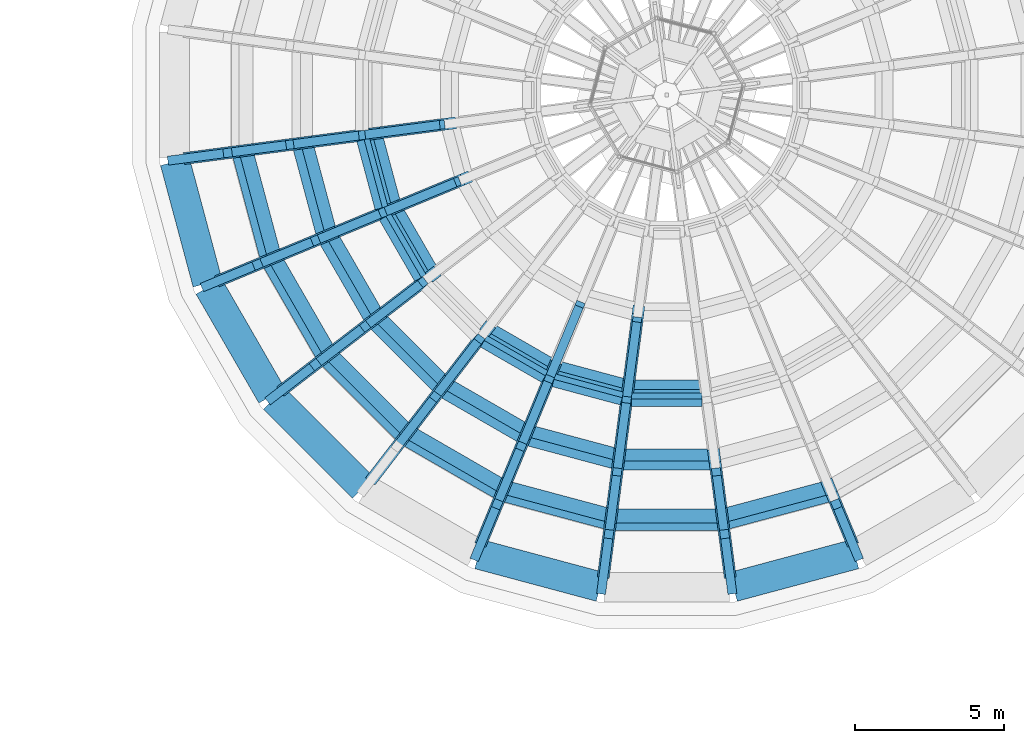
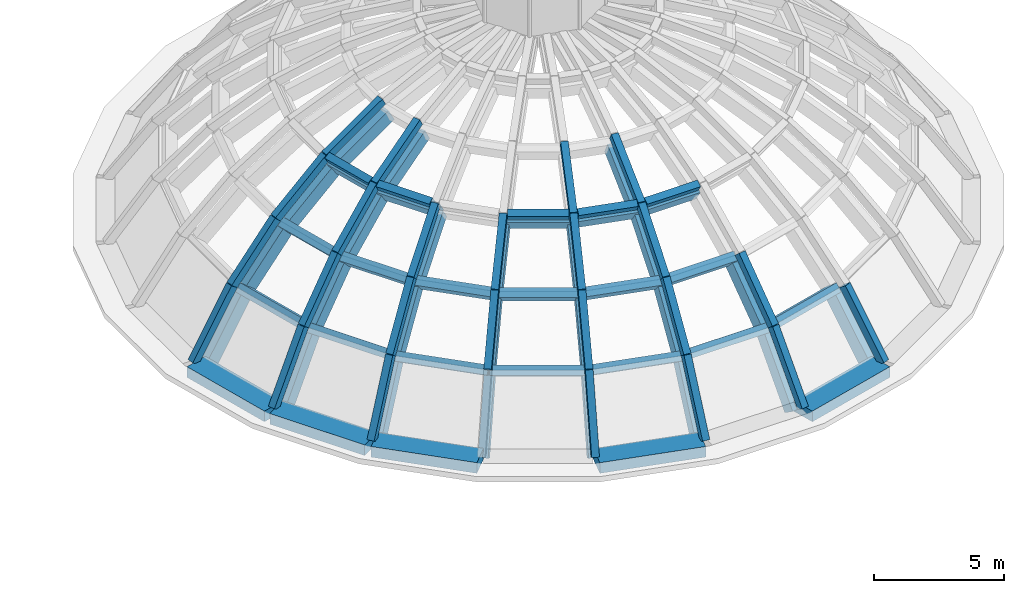
# One storey, part 10 of 29: 48 members, 28 beams.
"""IFC4 building model written with IfcOpenShell, lengths in metres."""

from ifc_helpers import new_model, si_unit, direction, frame, origin, origin_2d, place, context, subcontext, project, spatial, rectangle, extrude, material, material_profile, profile_set, type_object, element, save


model = new_model("IFC4")

# Units and contexts
model_context = context("Model", 3, precision=1e-05, world=origin(), true_north=direction((0.0, 1.0)))
body_context = subcontext(model_context, "Body", "Model", "MODEL_VIEW")
ifc_project = project(units=[si_unit("LENGTHUNIT", "METRE"), si_unit("AREAUNIT", "SQUARE_METRE"), si_unit("VOLUMEUNIT", "CUBIC_METRE"), si_unit("PLANEANGLEUNIT", "RADIAN"), si_unit("MASSUNIT", "GRAM", prefix="KILO")], contexts=[model_context])

# Site, building, storey
site_placement = place(None, origin())
site = spatial("IfcSite", under=ifc_project, at=site_placement, CompositionType="ELEMENT")
building_placement = place(site_placement, origin())
building = spatial("IfcBuilding", under=site, at=building_placement, Name="Golden Quay Civic Hall", CompositionType="ELEMENT")
storey_placement = place(building_placement, frame((0.0, 0.0, 27.0)))
storey = spatial("IfcBuildingStorey", under=building, at=storey_placement, Name="L06", CompositionType="ELEMENT", Elevation=27.0)

# Members
ifc_material_1 = material(Name="Concrete C40/50", Category="concrete")
ifc_material_profile_1 = material_profile(ifc_material_1, rectangle(XDim=0.39990234375, YDim=0.60009765625, at=origin_2d()), Name="RC 400x600")
ifc_profile_set_1 = profile_set([ifc_material_profile_1], Name="Concrete C40/50")
member_type_1 = type_object("IfcMemberType", Name="Reinforced concrete dome meridian rib 400x600", PredefinedType="STRUT", material=ifc_profile_set_1)
member_1_placement = place(storey_placement, frame((69.56591796875, 83.40234375, -0.492919921875), z_axis=(0.550095894332, 0.072379120587, 0.831958995349), x_axis=(-0.130451114281, 0.99145474268, 0.0)))
element("IfcMember", 1, at=member_1_placement, inside=storey, type_object=member_type_1, Name="Dome meridian rib 13.1", PredefinedType="STRUT", context=body_context, shape_type="SweptSolid", body=[
    extrude(rectangle(XDim=0.39990234375, YDim=0.60009765625, at=origin_2d()), origin(), (0.0, 0.0, 1.0), 3.349365234375),
])
member_2_placement = place(storey_placement, frame((71.408447265625, 83.644775390625, 2.293701171875), z_axis=(0.676536070137, 0.089068005808, 0.731003307889), x_axis=(-0.130526685544, 0.991444796426, 0.0)))
element("IfcMember", 2, at=member_2_placement, inside=storey, type_object=member_type_1, Name="Dome meridian rib 13.2", PredefinedType="STRUT", context=body_context, shape_type="SweptSolid", body=[
    extrude(rectangle(XDim=0.39990234375, YDim=0.60009765625, at=origin_2d()), origin(), (0.0, 0.0, 1.0), 2.949462890625),
])
member_3_placement = place(storey_placement, frame((73.40380859375, 83.907470703125, 4.44970703125), z_axis=(0.785170814657, 0.103392551134, 0.61058723552), x_axis=(-0.130554556385, 0.991441126748, 0.0)))
element("IfcMember", 3, at=member_3_placement, inside=storey, type_object=member_type_1, Name="Dome meridian rib 13.3", PredefinedType="STRUT", context=body_context, shape_type="SweptSolid", body=[
    extrude(rectangle(XDim=0.39990234375, YDim=0.60009765625, at=origin_2d()), origin(), (0.0, 0.0, 1.0), 2.94921875),
])
member_4_placement = place(storey_placement, frame((75.719482421875, 84.21240234375, 6.25048828125), z_axis=(0.87287480647, 0.114893336309, 0.474224728902), x_axis=(-0.130500722737, 0.991448214162, 0.0)))
element("IfcMember", 4, at=member_4_placement, inside=storey, type_object=member_type_1, Name="Dome meridian rib 13.4", PredefinedType="STRUT", context=body_context, shape_type="SweptSolid", body=[
    extrude(rectangle(XDim=0.39990234375, YDim=0.60009765625, at=origin_2d()), origin(), (0.0, 0.0, 1.0), 2.949462890625),
])
member_5_placement = place(storey_placement, frame((70.65185546875, 79.349609375, -0.492919921875), z_axis=(0.512569679577, 0.212331552419, 0.831978146003), x_axis=(-0.382711492988, 0.923867908922, 0.0)))
element("IfcMember", 5, at=member_5_placement, inside=storey, type_object=member_type_1, Name="Dome meridian rib 14.1", PredefinedType="STRUT", context=body_context, shape_type="SweptSolid", body=[
    extrude(rectangle(XDim=0.39990234375, YDim=0.60009765625, at=origin_2d()), origin(), (0.0, 0.0, 1.0), 3.349365234375),
])
member_6_placement = place(storey_placement, frame((72.36865234375, 80.060791015625, 2.293701171875), z_axis=(0.630425469175, 0.26115971051, 0.730998860069), x_axis=(-0.382719620554, 0.923864542042, 0.0)))
element("IfcMember", 6, at=member_6_placement, inside=storey, type_object=member_type_1, Name="Dome meridian rib 14.2", PredefinedType="STRUT", context=body_context, shape_type="SweptSolid", body=[
    extrude(rectangle(XDim=0.39990234375, YDim=0.60009765625, at=origin_2d()), origin(), (0.0, 0.0, 1.0), 2.949462890625),
])
for number, where, z_axis, x_axis, name in (
    (7, (74.22802734375, 80.8310546875, 4.44970703125), (0.731680684509, 0.303052719311, 0.610575486926), (-0.382662584265, 0.923888167801, 0.0), "Dome meridian rib 14.3"),
    (8, (76.385986328125, 81.724853515625, 6.25048828125), (0.813382122153, 0.336908735718, 0.474238365338), (-0.382678419342, 0.923881608957, 0.0), "Dome meridian rib 14.4"),
):
    element("IfcMember", number, at=place(storey_placement, frame(where, z_axis=z_axis, x_axis=x_axis)), inside=storey, type_object=member_type_1, Name=name, PredefinedType="STRUT", context=body_context, shape_type="SweptSolid", body=[
        extrude(rectangle(XDim=0.39990234375, YDim=0.60009765625, at=origin_2d()), origin(), (0.0, 0.0, 1.0), 2.94921875),
    ])
member_7_placement = place(storey_placement, frame((72.749755859375, 75.71630859375, -0.492919921875), z_axis=(0.440119735162, 0.337779869616, 0.831985203236), x_axis=(-0.608834168329, 0.793297520149, 0.0)))
element("IfcMember", 9, at=member_7_placement, inside=storey, type_object=member_type_1, Name="Dome meridian rib 15.1", PredefinedType="STRUT", context=body_context, shape_type="SweptSolid", body=[
    extrude(rectangle(XDim=0.39990234375, YDim=0.60009765625, at=origin_2d()), origin(), (0.0, 0.0, 1.0), 3.349365234375),
])
member_8_placement = place(storey_placement, frame((74.223876953125, 76.84765625, 2.293701171875), z_axis=(0.541368312037, 0.415380151346, 0.731012777309), x_axis=(-0.608737109833, 0.793372000459, 0.0)))
element("IfcMember", 10, at=member_8_placement, inside=storey, type_object=member_type_1, Name="Dome meridian rib 15.2", PredefinedType="STRUT", context=body_context, shape_type="SweptSolid", body=[
    extrude(rectangle(XDim=0.39990234375, YDim=0.60009765625, at=origin_2d()), origin(), (0.0, 0.0, 1.0), 2.949462890625),
])
member_9_placement = place(storey_placement, frame((75.820556640625, 78.07275390625, 4.44970703125), z_axis=(0.628298229719, 0.482109208153, 0.610583365271), x_axis=(-0.608760650139, 0.793353937939, 0.0)))
element("IfcMember", 11, at=member_9_placement, inside=storey, type_object=member_type_1, Name="Dome meridian rib 15.3", PredefinedType="STRUT", context=body_context, shape_type="SweptSolid", body=[
    extrude(rectangle(XDim=0.39990234375, YDim=0.60009765625, at=origin_2d()), origin(), (0.0, 0.0, 1.0), 2.94921875),
])
member_10_placement = place(storey_placement, frame((75.71630859375, 72.749755859375, -0.492919921875), z_axis=(0.337779869616, 0.440119735162, 0.831985203236), x_axis=(-0.793297520149, 0.608834168329, 0.0)))
element("IfcMember", 12, at=member_10_placement, inside=storey, type_object=member_type_1, Name="Dome meridian rib 16.1", PredefinedType="STRUT", context=body_context, shape_type="SweptSolid", body=[
    extrude(rectangle(XDim=0.39990234375, YDim=0.60009765625, at=origin_2d()), origin(), (0.0, 0.0, 1.0), 3.349365234375),
])
member_11_placement = place(storey_placement, frame((76.84765625, 74.223876953125, 2.293701171875), z_axis=(0.415380151346, 0.541368312037, 0.731012777309), x_axis=(-0.793372000459, 0.608737109833, 0.0)))
element("IfcMember", 13, at=member_11_placement, inside=storey, type_object=member_type_1, Name="Dome meridian rib 16.2", PredefinedType="STRUT", context=body_context, shape_type="SweptSolid", body=[
    extrude(rectangle(XDim=0.39990234375, YDim=0.60009765625, at=origin_2d()), origin(), (0.0, 0.0, 1.0), 2.949462890625),
])
member_12_placement = place(storey_placement, frame((78.07275390625, 75.820556640625, 4.44970703125), z_axis=(0.482109208153, 0.628298229719, 0.610583365271), x_axis=(-0.793353937939, 0.608760650139, 0.0)))
element("IfcMember", 14, at=member_12_placement, inside=storey, type_object=member_type_1, Name="Dome meridian rib 16.3", PredefinedType="STRUT", context=body_context, shape_type="SweptSolid", body=[
    extrude(rectangle(XDim=0.39990234375, YDim=0.60009765625, at=origin_2d()), origin(), (0.0, 0.0, 1.0), 2.94921875),
])
member_13_placement = place(storey_placement, frame((79.349609375, 70.65185546875, -0.492919921875), z_axis=(0.212331552419, 0.512569679577, 0.831978146003), x_axis=(-0.923867908922, 0.382711492988, 0.0)))
element("IfcMember", 15, at=member_13_placement, inside=storey, type_object=member_type_1, Name="Dome meridian rib 17.1", PredefinedType="STRUT", context=body_context, shape_type="SweptSolid", body=[
    extrude(rectangle(XDim=0.39990234375, YDim=0.60009765625, at=origin_2d()), origin(), (0.0, 0.0, 1.0), 3.349365234375),
])
member_14_placement = place(storey_placement, frame((80.060791015625, 72.36865234375, 2.293701171875), z_axis=(0.26115971051, 0.630425469175, 0.730998860069), x_axis=(-0.923864542042, 0.382719620554, 0.0)))
element("IfcMember", 16, at=member_14_placement, inside=storey, type_object=member_type_1, Name="Dome meridian rib 17.2", PredefinedType="STRUT", context=body_context, shape_type="SweptSolid", body=[
    extrude(rectangle(XDim=0.39990234375, YDim=0.60009765625, at=origin_2d()), origin(), (0.0, 0.0, 1.0), 2.949462890625),
])
member_15_placement = place(storey_placement, frame((80.8310546875, 74.22802734375, 4.44970703125), z_axis=(0.303052719311, 0.731680684509, 0.610575486926), x_axis=(-0.923888167801, 0.382662584265, 0.0)))
element("IfcMember", 17, at=member_15_placement, inside=storey, type_object=member_type_1, Name="Dome meridian rib 17.3", PredefinedType="STRUT", context=body_context, shape_type="SweptSolid", body=[
    extrude(rectangle(XDim=0.39990234375, YDim=0.60009765625, at=origin_2d()), origin(), (0.0, 0.0, 1.0), 2.94921875),
])
member_16_placement = place(storey_placement, frame((83.40234375, 69.56591796875, -0.492919921875), z_axis=(0.072379120587, 0.550095894332, 0.831958995349), x_axis=(-0.99145474268, 0.130451114281, 0.0)))
element("IfcMember", 18, at=member_16_placement, inside=storey, type_object=member_type_1, Name="Dome meridian rib 18.1", PredefinedType="STRUT", context=body_context, shape_type="SweptSolid", body=[
    extrude(rectangle(XDim=0.39990234375, YDim=0.60009765625, at=origin_2d()), origin(), (0.0, 0.0, 1.0), 3.349365234375),
])
member_17_placement = place(storey_placement, frame((83.644775390625, 71.408447265625, 2.293701171875), z_axis=(0.089068005808, 0.676536070137, 0.731003307889), x_axis=(-0.991444796426, 0.130526685544, 0.0)))
element("IfcMember", 19, at=member_17_placement, inside=storey, type_object=member_type_1, Name="Dome meridian rib 18.2", PredefinedType="STRUT", context=body_context, shape_type="SweptSolid", body=[
    extrude(rectangle(XDim=0.39990234375, YDim=0.60009765625, at=origin_2d()), origin(), (0.0, 0.0, 1.0), 2.949462890625),
])
member_18_placement = place(storey_placement, frame((83.907470703125, 73.40380859375, 4.44970703125), z_axis=(0.103392551134, 0.785170814657, 0.61058723552), x_axis=(-0.991441126748, 0.130554556385, 0.0)))
element("IfcMember", 20, at=member_18_placement, inside=storey, type_object=member_type_1, Name="Dome meridian rib 18.3", PredefinedType="STRUT", context=body_context, shape_type="SweptSolid", body=[
    extrude(rectangle(XDim=0.39990234375, YDim=0.60009765625, at=origin_2d()), origin(), (0.0, 0.0, 1.0), 2.94921875),
])
member_19_placement = place(storey_placement, frame((84.21240234375, 75.719482421875, 6.25048828125), z_axis=(0.114893336309, 0.87287480647, 0.474224728902), x_axis=(-0.991448214162, 0.130500722737, 0.0)))
element("IfcMember", 21, at=member_19_placement, inside=storey, type_object=member_type_1, Name="Dome meridian rib 18.4", PredefinedType="STRUT", context=body_context, shape_type="SweptSolid", body=[
    extrude(rectangle(XDim=0.39990234375, YDim=0.60009765625, at=origin_2d()), origin(), (0.0, 0.0, 1.0), 2.949462890625),
])
member_20_placement = place(storey_placement, frame((87.59765625, 69.56591796875, -0.492919921875), z_axis=(-0.072379120587, 0.550095894332, 0.831958995349), x_axis=(-0.99145474268, -0.130451114281, 0.0)))
element("IfcMember", 22, at=member_20_placement, inside=storey, type_object=member_type_1, Name="Dome meridian rib 19.1", PredefinedType="STRUT", context=body_context, shape_type="SweptSolid", body=[
    extrude(rectangle(XDim=0.39990234375, YDim=0.60009765625, at=origin_2d()), origin(), (0.0, 0.0, 1.0), 3.349365234375),
])
member_21_placement = place(storey_placement, frame((87.355224609375, 71.408447265625, 2.293701171875), z_axis=(-0.089068005808, 0.676536070137, 0.731003307889), x_axis=(-0.991444796426, -0.130526685544, 0.0)))
element("IfcMember", 23, at=member_21_placement, inside=storey, type_object=member_type_1, Name="Dome meridian rib 19.2", PredefinedType="STRUT", context=body_context, shape_type="SweptSolid", body=[
    extrude(rectangle(XDim=0.39990234375, YDim=0.60009765625, at=origin_2d()), origin(), (0.0, 0.0, 1.0), 2.949462890625),
])
member_22_placement = place(storey_placement, frame((91.650390625, 70.65185546875, -0.492919921875), z_axis=(-0.212331552419, 0.512569679577, 0.831978146003), x_axis=(-0.923867908922, -0.382711492988, 0.0)))
element("IfcMember", 24, at=member_22_placement, inside=storey, type_object=member_type_1, Name="Dome meridian rib 20.1", PredefinedType="STRUT", context=body_context, shape_type="SweptSolid", body=[
    extrude(rectangle(XDim=0.39990234375, YDim=0.60009765625, at=origin_2d()), origin(), (0.0, 0.0, 1.0), 3.349365234375),
])
ifc_material_2 = material(Name="Concrete C40/50", Category="concrete")
ifc_material_profile_2 = material_profile(ifc_material_2, rectangle(XDim=0.300048828125, YDim=0.35009765625, at=origin_2d()), Name="RC 300x350")
ifc_profile_set_2 = profile_set([ifc_material_profile_2], Name="Concrete C40/50")
member_type_2 = type_object("IfcMemberType", Name="Reinforced concrete dome outer rib 300x350", PredefinedType="STRUT", material=ifc_profile_set_2)
member_23_placement = place(storey_placement, frame((68.923095703125, 83.317626953125, -0.01904296875), z_axis=(0.550122287018, 0.072439628972, 0.831936277296), x_axis=(-0.130552155343, 0.991441442918, 0.0)))
element("IfcMember", 25, at=member_23_placement, inside=storey, type_object=member_type_2, Name="Dome outer rib 13.1", PredefinedType="STRUT", context=body_context, shape_type="SweptSolid", body=[
    extrude(rectangle(XDim=0.300048828125, YDim=0.35009765625, at=origin_2d()), origin(), (0.0, 0.0, 1.0), 3.38037109375),
])
for number, where, z_axis, x_axis, name in (
    (26, (70.78271484375, 83.5625, 2.793212890625), (0.67654387731, 0.089085674566, 0.730993929292), (-0.130550656476, 0.991441640286, 0.0), "Dome outer rib 13.2"),
    (27, (72.86669921875, 83.8369140625, 5.044921875), (0.78511246059, 0.10335015633, 0.610669443655), (-0.130511470467, 0.991446799418, 0.0), "Dome outer rib 13.3"),
):
    element("IfcMember", number, at=place(storey_placement, frame(where, z_axis=z_axis, x_axis=x_axis)), inside=storey, type_object=member_type_2, Name=name, PredefinedType="STRUT", context=body_context, shape_type="SweptSolid", body=[
        extrude(rectangle(XDim=0.300048828125, YDim=0.35009765625, at=origin_2d()), origin(), (0.0, 0.0, 1.0), 3.080322265625),
    ])
member_24_placement = place(storey_placement, frame((75.28515625, 84.1552734375, 6.926025390625), z_axis=(0.872912973044, 0.114929974658, 0.474145592005), x_axis=(-0.130536018623, 0.991443567654, 0.0)))
element("IfcMember", 28, at=member_24_placement, inside=storey, type_object=member_type_2, Name="Dome outer rib 13.4", PredefinedType="STRUT", context=body_context, shape_type="SweptSolid", body=[
    extrude(rectangle(XDim=0.300048828125, YDim=0.35009765625, at=origin_2d()), origin(), (0.0, 0.0, 1.0), 3.080078125),
])
member_25_placement = place(storey_placement, frame((70.052978515625, 79.1015625, -0.01904296875), z_axis=(0.512584648384, 0.212343083873, 0.831965980658), x_axis=(-0.382719693499, 0.923864511824, 0.0)))
element("IfcMember", 29, at=member_25_placement, inside=storey, type_object=member_type_2, Name="Dome outer rib 14.1", PredefinedType="STRUT", context=body_context, shape_type="SweptSolid", body=[
    extrude(rectangle(XDim=0.300048828125, YDim=0.35009765625, at=origin_2d()), origin(), (0.0, 0.0, 1.0), 3.38037109375),
])
for number, where, z_axis, x_axis, name in (
    (30, (71.78564453125, 79.8193359375, 2.793212890625), (0.630422877415, 0.261157075821, 0.731002036509), (-0.382717667995, 0.923865350906, 0.0), "Dome outer rib 14.2"),
    (31, (73.7275390625, 80.623779296875, 5.044921875), (0.731620375695, 0.302999100453, 0.61067435757), (-0.382631713297, 0.923900953555, 0.0), "Dome outer rib 14.3"),
    (32, (75.981201171875, 81.55712890625, 6.926025390625), (0.813437047625, 0.336930808677, 0.474128463304), (-0.382677762475, 0.923881881036, 0.0), "Dome outer rib 14.4"),
):
    element("IfcMember", number, at=place(storey_placement, frame(where, z_axis=z_axis, x_axis=x_axis)), inside=storey, type_object=member_type_2, Name=name, PredefinedType="STRUT", context=body_context, shape_type="SweptSolid", body=[
        extrude(rectangle(XDim=0.300048828125, YDim=0.35009765625, at=origin_2d()), origin(), (0.0, 0.0, 1.0), 3.080322265625),
    ])
member_26_placement = place(storey_placement, frame((72.2353515625, 75.321533203125, -0.01904296875), z_axis=(0.440142253946, 0.337798707205, 0.83196564214), x_axis=(-0.608835932152, 0.79329616646, 0.0)))
element("IfcMember", 33, at=member_26_placement, inside=storey, type_object=member_type_2, Name="Dome outer rib 15.1", PredefinedType="STRUT", context=body_context, shape_type="SweptSolid", body=[
    extrude(rectangle(XDim=0.300048828125, YDim=0.35009765625, at=origin_2d()), origin(), (0.0, 0.0, 1.0), 3.38037109375),
])
for number, where, z_axis, x_axis, name in (
    (34, (73.72314453125, 76.46337890625, 2.793212890625), (0.541402717932, 0.415384518325, 0.730984814447), (-0.60871678742, 0.793387592991, 0.0), "Dome outer rib 15.2"),
    (35, (75.390869140625, 77.742919921875, 5.044921875), (0.628218722093, 0.482062360304, 0.610702151618), (-0.608771905455, 0.793345301321, 0.0), "Dome outer rib 15.3"),
    (36, (76.46337890625, 73.72314453125, 2.793212890625), (0.415384518325, 0.541402717932, 0.730984814447), (-0.793387592991, 0.60871678742, 0.0), "Dome outer rib 16.2"),
    (37, (77.742919921875, 75.390869140625, 5.044921875), (0.482062360304, 0.628218722093, 0.610702151618), (-0.793345301321, 0.608771905455, 0.0), "Dome outer rib 16.3"),
):
    element("IfcMember", number, at=place(storey_placement, frame(where, z_axis=z_axis, x_axis=x_axis)), inside=storey, type_object=member_type_2, Name=name, PredefinedType="STRUT", context=body_context, shape_type="SweptSolid", body=[
        extrude(rectangle(XDim=0.300048828125, YDim=0.35009765625, at=origin_2d()), origin(), (0.0, 0.0, 1.0), 3.080322265625),
    ])
member_27_placement = place(storey_placement, frame((79.1015625, 70.052978515625, -0.01904296875), z_axis=(0.212343083873, 0.512584648384, 0.831965980658), x_axis=(-0.923864511824, 0.382719693499, 0.0)))
element("IfcMember", 38, at=member_27_placement, inside=storey, type_object=member_type_2, Name="Dome outer rib 17.1", PredefinedType="STRUT", context=body_context, shape_type="SweptSolid", body=[
    extrude(rectangle(XDim=0.300048828125, YDim=0.35009765625, at=origin_2d()), origin(), (0.0, 0.0, 1.0), 3.38037109375),
])
for number, where, z_axis, x_axis, name in (
    (39, (79.8193359375, 71.78564453125, 2.793212890625), (0.261157075821, 0.630422877415, 0.731002036509), (-0.923865350906, 0.382717667995, 0.0), "Dome outer rib 17.2"),
    (40, (80.623779296875, 73.7275390625, 5.044921875), (0.302999100453, 0.731620375695, 0.61067435757), (-0.923900953555, 0.382631713297, 0.0), "Dome outer rib 17.3"),
    (41, (81.55712890625, 75.981201171875, 6.926025390625), (0.336930808677, 0.813437047625, 0.474128463304), (-0.923881881036, 0.382677762475, 0.0), "Dome outer rib 17.4"),
):
    element("IfcMember", number, at=place(storey_placement, frame(where, z_axis=z_axis, x_axis=x_axis)), inside=storey, type_object=member_type_2, Name=name, PredefinedType="STRUT", context=body_context, shape_type="SweptSolid", body=[
        extrude(rectangle(XDim=0.300048828125, YDim=0.35009765625, at=origin_2d()), origin(), (0.0, 0.0, 1.0), 3.080322265625),
    ])
member_28_placement = place(storey_placement, frame((83.317626953125, 68.923095703125, -0.01904296875), z_axis=(0.072439628972, 0.550122287018, 0.831936277296), x_axis=(-0.991441442918, 0.130552155343, 0.0)))
element("IfcMember", 42, at=member_28_placement, inside=storey, type_object=member_type_2, Name="Dome outer rib 18.1", PredefinedType="STRUT", context=body_context, shape_type="SweptSolid", body=[
    extrude(rectangle(XDim=0.300048828125, YDim=0.35009765625, at=origin_2d()), origin(), (0.0, 0.0, 1.0), 3.38037109375),
])
for number, where, z_axis, x_axis, name in (
    (43, (83.5625, 70.78271484375, 2.793212890625), (0.089085674566, 0.67654387731, 0.730993929292), (-0.991441640286, 0.130550656476, 0.0), "Dome outer rib 18.2"),
    (44, (83.8369140625, 72.86669921875, 5.044921875), (0.10335015633, 0.78511246059, 0.610669443655), (-0.991446799418, 0.130511470467, 0.0), "Dome outer rib 18.3"),
):
    element("IfcMember", number, at=place(storey_placement, frame(where, z_axis=z_axis, x_axis=x_axis)), inside=storey, type_object=member_type_2, Name=name, PredefinedType="STRUT", context=body_context, shape_type="SweptSolid", body=[
        extrude(rectangle(XDim=0.300048828125, YDim=0.35009765625, at=origin_2d()), origin(), (0.0, 0.0, 1.0), 3.080322265625),
    ])
member_29_placement = place(storey_placement, frame((84.1552734375, 75.28515625, 6.926025390625), z_axis=(0.114929974658, 0.872912973044, 0.474145592005), x_axis=(-0.991443567654, 0.130536018623, 0.0)))
element("IfcMember", 45, at=member_29_placement, inside=storey, type_object=member_type_2, Name="Dome outer rib 18.4", PredefinedType="STRUT", context=body_context, shape_type="SweptSolid", body=[
    extrude(rectangle(XDim=0.300048828125, YDim=0.35009765625, at=origin_2d()), origin(), (0.0, 0.0, 1.0), 3.080078125),
])
member_30_placement = place(storey_placement, frame((87.682373046875, 68.923095703125, -0.01904296875), z_axis=(-0.072439628972, 0.550122287018, 0.831936277296), x_axis=(-0.991441442918, -0.130552155343, 0.0)))
element("IfcMember", 46, at=member_30_placement, inside=storey, type_object=member_type_2, Name="Dome outer rib 19.1", PredefinedType="STRUT", context=body_context, shape_type="SweptSolid", body=[
    extrude(rectangle(XDim=0.300048828125, YDim=0.35009765625, at=origin_2d()), origin(), (0.0, 0.0, 1.0), 3.38037109375),
])
member_31_placement = place(storey_placement, frame((87.4375, 70.78271484375, 2.793212890625), z_axis=(-0.089085674566, 0.67654387731, 0.730993929292), x_axis=(-0.991441640286, -0.130550656476, 0.0)))
element("IfcMember", 47, at=member_31_placement, inside=storey, type_object=member_type_2, Name="Dome outer rib 19.2", PredefinedType="STRUT", context=body_context, shape_type="SweptSolid", body=[
    extrude(rectangle(XDim=0.300048828125, YDim=0.35009765625, at=origin_2d()), origin(), (0.0, 0.0, 1.0), 3.080322265625),
])
member_32_placement = place(storey_placement, frame((91.8984375, 70.052978515625, -0.01904296875), z_axis=(-0.212343083873, 0.512584648384, 0.831965980658), x_axis=(-0.923864511824, -0.382719693499, 0.0)))
element("IfcMember", 48, at=member_32_placement, inside=storey, type_object=member_type_2, Name="Dome outer rib 20.1", PredefinedType="STRUT", context=body_context, shape_type="SweptSolid", body=[
    extrude(rectangle(XDim=0.300048828125, YDim=0.35009765625, at=origin_2d()), origin(), (0.0, 0.0, 1.0), 3.38037109375),
])

# Beams
ifc_material_3 = material(Name="Concrete C40/50", Category="concrete")
ifc_material_profile_3 = material_profile(ifc_material_3, rectangle(XDim=0.300048828125, YDim=0.35009765625, at=origin_2d()), Name="RC 300x350")
ifc_profile_set_3 = profile_set([ifc_material_profile_3], Name="Concrete C40/50")
beam_type_1 = type_object("IfcBeamType", Name="Reinforced concrete dome outer ring beam 300x350", PredefinedType="BEAM", material=ifc_profile_set_3)
beam_1_placement = place(storey_placement, frame((75.326904296875, 83.99951171875, 6.926025390625), z_axis=(0.258760142299, -0.965941607323, 0.0), x_axis=(0.810376640378, 0.217086802339, 0.544208618988)))
element("IfcBeam", 49, at=beam_1_placement, inside=storey, type_object=beam_type_1, Name="Dome outer ring beam segment 13", PredefinedType="BEAM", context=body_context, shape_type="SweptSolid", body=[
    extrude(rectangle(XDim=0.300048828125, YDim=0.35009765625, at=origin_2d()), origin(), (0.0, 0.0, 1.0), 2.3671875),
])
for number, where, z_axis, x_axis, name in (
    (50, (76.06201171875, 81.41748046875, 6.926025390625), (0.499966512588, -0.866044736887, 0.0), (0.726568168277, 0.419446868942, 0.544208618988), "Dome outer ring beam segment 14"),
    (51, (79.36767578125, 77.245361328125, 6.926025390625), (0.866044736887, -0.499966512588, 0.0), (0.419446868942, 0.726568168277, 0.544208618988), "Dome outer ring beam segment 16"),
):
    element("IfcBeam", number, at=place(storey_placement, frame(where, z_axis=z_axis, x_axis=x_axis)), inside=storey, type_object=beam_type_1, Name=name, PredefinedType="BEAM", context=body_context, shape_type="SweptSolid", body=[
        extrude(rectangle(XDim=0.300048828125, YDim=0.35009765625, at=origin_2d()), origin(), (0.0, 0.0, 1.0), 2.366943359375),
    ])
for number, where, z_axis, x_axis, name in (
    (52, (81.712890625, 75.939453125, 6.926025390625), (0.965941607323, -0.258760142299, 0.0), (0.217086802339, 0.810376640378, 0.544208618988), "Dome outer ring beam segment 17"),
    (53, (84.31640625, 75.28515625, 6.926025390625), (1.0, 0.0, 0.0), (0.0, 0.838949926408, 0.544208618988), "Dome outer ring beam segment 18"),
):
    element("IfcBeam", number, at=place(storey_placement, frame(where, z_axis=z_axis, x_axis=x_axis)), inside=storey, type_object=beam_type_1, Name=name, PredefinedType="BEAM", context=body_context, shape_type="SweptSolid", body=[
        extrude(rectangle(XDim=0.300048828125, YDim=0.35009765625, at=origin_2d()), origin(), (0.0, 0.0, 1.0), 2.3671875),
    ])
ifc_material_4 = material(Name="Concrete C40/50", Category="concrete")
ifc_material_profile_4 = material_profile(ifc_material_4, rectangle(XDim=0.39990234375, YDim=0.60009765625, at=origin_2d()), Name="RC 400x600")
ifc_profile_set_4 = profile_set([ifc_material_profile_4], Name="Concrete C40/50")
beam_type_2 = type_object("IfcBeamType", Name="Reinforced concrete dome ring rib 400x600", PredefinedType="BEAM", material=ifc_profile_set_4)
for number, where, z_axis, x_axis, name in (
    (54, (71.2685546875, 83.62646484375, 2.405517578125), (0.258781677402, -0.965935838159, 0.0), (0.599518435201, 0.160615622866, 0.784079248256), "Dome ring rib 1.13"),
    (55, (72.23828125, 80.0068359375, 2.405517578125), (0.500042033332, -0.866001134469, 0.0), (0.537492889806, 0.310356449688, 0.784079248256), "Dome ring rib 1.14"),
):
    element("IfcBeam", number, at=place(storey_placement, frame(where, z_axis=z_axis, x_axis=x_axis)), inside=storey, type_object=beam_type_2, Name=name, PredefinedType="BEAM", context=body_context, shape_type="SweptSolid", body=[
        extrude(rectangle(XDim=0.39990234375, YDim=0.60009765625, at=origin_2d()), origin(), (0.0, 0.0, 1.0), 3.747314453125),
    ])
beam_2_placement = place(storey_placement, frame((74.112060546875, 76.76171875, 2.405517578125), z_axis=(0.707106781187, -0.707106781187, 0.0), x_axis=(0.438873405696, 0.438873405696, 0.784079248256)))
element("IfcBeam", 56, at=beam_2_placement, inside=storey, type_object=beam_type_2, Name="Dome ring rib 1.15", PredefinedType="BEAM", context=body_context, shape_type="SweptSolid", body=[
    extrude(rectangle(XDim=0.39990234375, YDim=0.60009765625, at=origin_2d()), origin(), (0.0, 0.0, 1.0), 3.7470703125),
])
for number, where, z_axis, x_axis, name in (
    (57, (76.76171875, 74.112060546875, 2.405517578125), (0.866001134469, -0.500042033332, 0.0), (0.310356449688, 0.537492889806, 0.784079248256), "Dome ring rib 1.16"),
    (58, (80.0068359375, 72.23828125, 2.405517578125), (0.965935838159, -0.258781677402, 0.0), (0.160615622866, 0.599518435201, 0.784079248256), "Dome ring rib 1.17"),
):
    element("IfcBeam", number, at=place(storey_placement, frame(where, z_axis=z_axis, x_axis=x_axis)), inside=storey, type_object=beam_type_2, Name=name, PredefinedType="BEAM", context=body_context, shape_type="SweptSolid", body=[
        extrude(rectangle(XDim=0.39990234375, YDim=0.60009765625, at=origin_2d()), origin(), (0.0, 0.0, 1.0), 3.747314453125),
    ])
beam_3_placement = place(storey_placement, frame((83.62646484375, 71.2685546875, 2.405517578125), z_axis=(1.0, 0.0, 0.0), x_axis=(0.0, 0.6206607225, 0.784079248256)))
element("IfcBeam", 59, at=beam_3_placement, inside=storey, type_object=beam_type_2, Name="Dome ring rib 1.18", PredefinedType="BEAM", context=body_context, shape_type="SweptSolid", body=[
    extrude(rectangle(XDim=0.39990234375, YDim=0.60009765625, at=origin_2d()), origin(), (0.0, 0.0, 1.0), 3.7470703125),
])
beam_4_placement = place(storey_placement, frame((87.37353515625, 71.2685546875, 2.405517578125), z_axis=(0.965935838159, 0.258781677402, 0.0), x_axis=(-0.160615622866, 0.599518435201, 0.784079248256)))
element("IfcBeam", 60, at=beam_4_placement, inside=storey, type_object=beam_type_2, Name="Dome ring rib 1.19", PredefinedType="BEAM", context=body_context, shape_type="SweptSolid", body=[
    extrude(rectangle(XDim=0.39990234375, YDim=0.60009765625, at=origin_2d()), origin(), (0.0, 0.0, 1.0), 3.747314453125),
])
for number, where, z_axis, x_axis, name in (
    (61, (73.28369140625, 83.8916015625, 4.582763671875), (0.25882460971, -0.96592433524, 0.0), (0.714392500027, 0.191425304502, 0.673052530418), "Dome ring rib 2.13"),
    (62, (74.1162109375, 80.78466796875, 4.582763671875), (0.500024672494, -0.866011158645, 0.0), (0.640497246114, 0.369815587852, 0.673052530418), "Dome ring rib 2.14"),
    (63, (75.724609375, 77.9990234375, 4.582763671875), (0.707106781187, -0.707106781187, 0.0), (0.522972413851, 0.522972413851, 0.673052530418), "Dome ring rib 2.15"),
    (64, (77.9990234375, 75.724609375, 4.582763671875), (0.866011158645, -0.500024672494, 0.0), (0.369815587852, 0.640497246114, 0.673052530418), "Dome ring rib 2.16"),
    (65, (80.78466796875, 74.1162109375, 4.582763671875), (0.96592433524, -0.25882460971, 0.0), (0.191425304502, 0.714392500027, 0.673052530418), "Dome ring rib 2.17"),
):
    element("IfcBeam", number, at=place(storey_placement, frame(where, z_axis=z_axis, x_axis=x_axis)), inside=storey, type_object=beam_type_2, Name=name, PredefinedType="BEAM", context=body_context, shape_type="SweptSolid", body=[
        extrude(rectangle(XDim=0.39990234375, YDim=0.60009765625, at=origin_2d()), origin(), (0.0, 0.0, 1.0), 3.216552734375),
    ])
beam_5_placement = place(storey_placement, frame((83.8916015625, 73.28369140625, 4.582763671875), z_axis=(1.0, 0.0, 0.0), x_axis=(0.0, 0.739594680415, 0.673052530418)))
element("IfcBeam", 66, at=beam_5_placement, inside=storey, type_object=beam_type_2, Name="Dome ring rib 2.18", PredefinedType="BEAM", context=body_context, shape_type="SweptSolid", body=[
    extrude(rectangle(XDim=0.39990234375, YDim=0.60009765625, at=origin_2d()), origin(), (0.0, 0.0, 1.0), 3.216796875),
])
beam_6_placement = place(storey_placement, frame((75.622314453125, 84.19970703125, 6.401611328125), z_axis=(0.258778310437, -0.965936740189, 0.0), x_axis=(0.810372557096, 0.217102044497, 0.544208618988)))
element("IfcBeam", 67, at=beam_6_placement, inside=storey, type_object=beam_type_2, Name="Dome ring rib 3.13", PredefinedType="BEAM", context=body_context, shape_type="SweptSolid", body=[
    extrude(rectangle(XDim=0.39990234375, YDim=0.60009765625, at=origin_2d()), origin(), (0.0, 0.0, 1.0), 2.60107421875),
])
for number, where, z_axis, x_axis, name in (
    (68, (76.29541015625, 81.687255859375, 6.401611328125), (0.500025795397, -0.866010510293, 0.0), (0.726539453879, 0.41949660425, 0.544208618988), "Dome ring rib 3.14"),
    (69, (79.434814453125, 77.595947265625, 6.401611328125), (0.866010510293, -0.500025795397, 0.0), (0.41949660425, 0.726539453879, 0.544208618988), "Dome ring rib 3.16"),
):
    element("IfcBeam", number, at=place(storey_placement, frame(where, z_axis=z_axis, x_axis=x_axis)), inside=storey, type_object=beam_type_2, Name=name, PredefinedType="BEAM", context=body_context, shape_type="SweptSolid", body=[
        extrude(rectangle(XDim=0.39990234375, YDim=0.60009765625, at=origin_2d()), origin(), (0.0, 0.0, 1.0), 2.600830078125),
    ])
beam_7_placement = place(storey_placement, frame((81.687255859375, 76.29541015625, 6.401611328125), z_axis=(0.965936740189, -0.258778310437, 0.0), x_axis=(0.217102044497, 0.810372557096, 0.544208618988)))
element("IfcBeam", 70, at=beam_7_placement, inside=storey, type_object=beam_type_2, Name="Dome ring rib 3.17", PredefinedType="BEAM", context=body_context, shape_type="SweptSolid", body=[
    extrude(rectangle(XDim=0.39990234375, YDim=0.60009765625, at=origin_2d()), origin(), (0.0, 0.0, 1.0), 2.60107421875),
])
beam_8_placement = place(storey_placement, frame((84.19970703125, 75.622314453125, 6.401611328125), z_axis=(1.0, 0.0, 0.0), x_axis=(0.0, 0.838949926408, 0.544208618988)))
element("IfcBeam", 71, at=beam_8_placement, inside=storey, type_object=beam_type_2, Name="Dome ring rib 3.18", PredefinedType="BEAM", context=body_context, shape_type="SweptSolid", body=[
    extrude(rectangle(XDim=0.39990234375, YDim=0.60009765625, at=origin_2d()), origin(), (0.0, 0.0, 1.0), 2.6005859375),
])
ifc_material_5 = material(Name="Concrete C40/50", Category="concrete")
ifc_material_profile_5 = material_profile(ifc_material_5, rectangle(XDim=1.0, YDim=0.5, at=origin_2d()), Name="RC 1000x500")
ifc_profile_set_5 = profile_set([ifc_material_profile_5], Name="Concrete C40/50")
beam_type_3 = type_object("IfcBeamType", Name="Reinforced concrete springing ring beam 1000x500", PredefinedType="BEAM", material=ifc_profile_set_5)
for number, where, z_axis, x_axis, name in (
    (72, (69.01708984375, 83.26416015625, -0.25), (0.258809467323, -0.965928392597, 0.0), (0.965928392597, 0.258809467323, 0.0), "Dome springing ring segment 13"),
    (73, (70.157470703125, 79.07421875, -0.25), (0.500003371769, -0.866023457084, 0.0), (0.866023457084, 0.500003371769, 0.0), "Dome springing ring segment 14"),
    (74, (72.34326171875, 75.322265625, -0.25), (0.707106781187, -0.707106781187, 0.0), (0.707106781187, 0.707106781187, 0.0), "Dome springing ring segment 15"),
    (75, (79.19482421875, 70.107421875, -0.25), (0.965928392597, -0.258809467323, 0.0), (0.258809467323, 0.965928392597, 0.0), "Dome springing ring segment 17"),
    (76, (87.73583984375, 69.01708984375, -0.25), (0.965928392597, 0.258809467323, 0.0), (-0.258809467323, 0.965928392597, 0.0), "Dome springing ring segment 19"),
):
    element("IfcBeam", number, at=place(storey_placement, frame(where, z_axis=z_axis, x_axis=x_axis)), inside=storey, type_object=beam_type_3, Name=name, PredefinedType="BEAM", context=body_context, shape_type="SweptSolid", body=[
        extrude(rectangle(XDim=1.0, YDim=0.5, at=origin_2d()), origin(), (0.0, 0.0, 1.0), 4.212890625),
    ])

save(model, "model.ifc")
